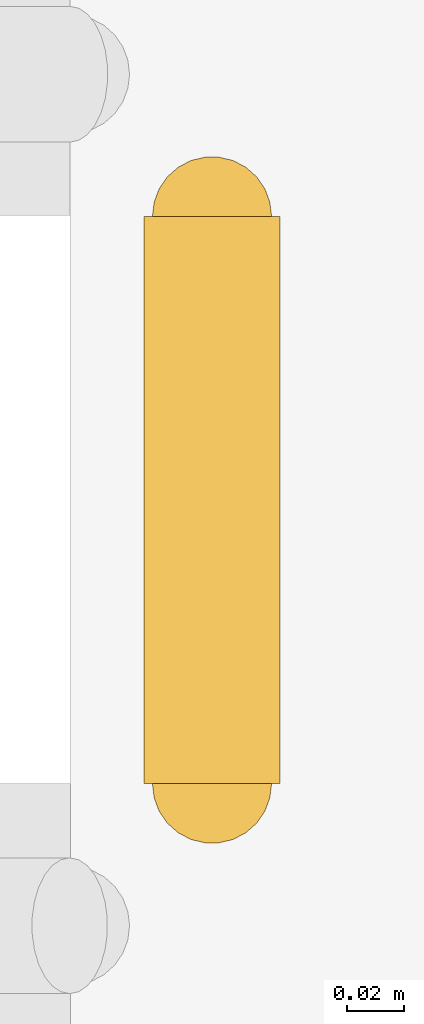
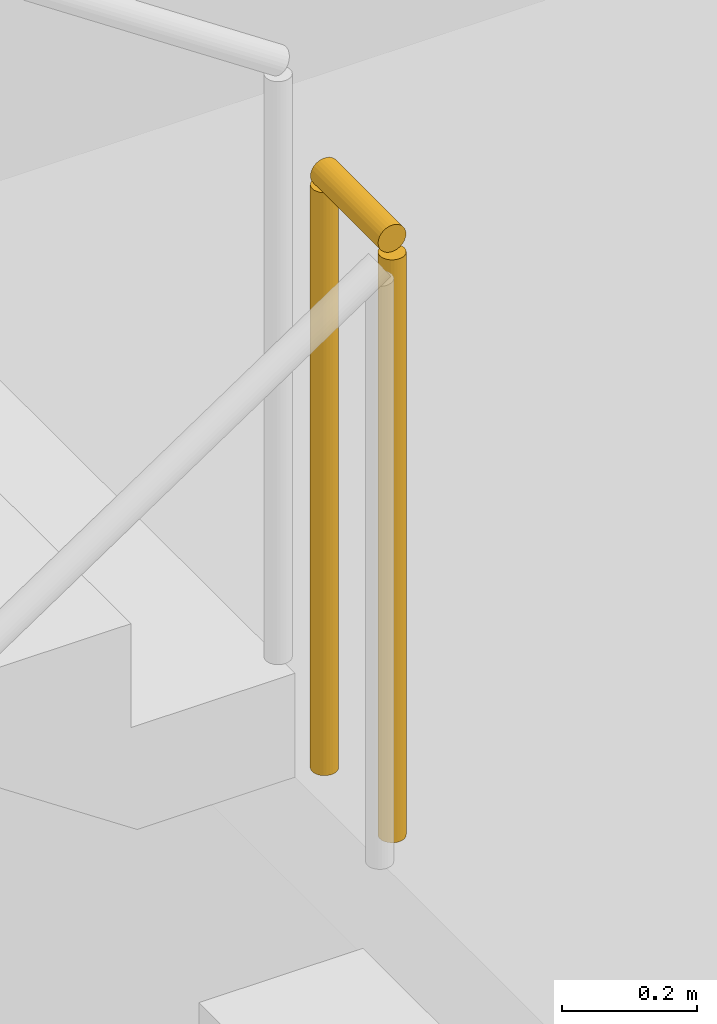
# One storey, part 121 of 123: 1 railing.
"""IFC4 building model written with IfcOpenShell, lengths in metres."""

import ifcopenshell
import ifcopenshell.guid

model = None  # the IFC model being written
_history = None  # IfcOwnerHistory: only IFC2X3 demands one
_inside = {}  # id of a spatial element -> (the spatial element, [elements in it])
_under = {}  # id of a project, library or spatial element -> (it, [spatial elements below it])
_declared = {}  # id of a project -> (the project, [libraries it declares])
_typed = {}  # id of a type object -> (the type object, [elements of that type])
_made_of = {}  # id of a material, layer set ... -> (it, [elements and type objects made of it])


def new_model(schema):
    """Start an empty IFC model of exactly this schema.

    Asked for "IFC4X3", IfcOpenShell would pick the latest addendum, in which some entities
    have other attributes; the version numbers below select the first issue.
    IFC2X3 requires an IfcOwnerHistory on every rooted entity: one is made here for all.
    """
    global model, _history
    if schema == "IFC4X3":
        model = ifcopenshell.file(schema_version=(4, 3, 0, 0))
    else:
        model = ifcopenshell.file(schema=schema)
    _inside.clear()
    _under.clear()
    _declared.clear()
    _typed.clear()
    _made_of.clear()
    _history = None
    if model.schema == "IFC2X3":
        org = make("IfcOrganization", Name="unknown")
        user = make(
            "IfcPersonAndOrganization",
            ThePerson=make("IfcPerson", FamilyName="unknown"),
            TheOrganization=org,
        )
        app = make(
            "IfcApplication",
            ApplicationDeveloper=org,
            Version="unknown",
            ApplicationFullName="unknown",
            ApplicationIdentifier="unknown",
        )
        _history = make(
            "IfcOwnerHistory",
            OwningUser=user,
            OwningApplication=app,
            ChangeAction="ADDED",
            CreationDate=0,
        )
    return model


def make(cls, **values):
    """One entity of the class cls with the attributes given. An attribute that is None is left unset."""
    return model.create_entity(
        cls, **{name: value for name, value in values.items() if value is not None}
    )


def rooted(cls, **values):
    """An entity with a GlobalId (a new one), such as an element, a storey or a relation."""
    return make(cls, GlobalId=ifcopenshell.guid.new(), OwnerHistory=_history, **values)


def si_unit(unit_type, name, prefix=None):
    """IfcSIUnit, for example si_unit("LENGTHUNIT", "METRE", prefix="MILLI")."""
    return make("IfcSIUnit", UnitType=unit_type, Prefix=prefix, Name=name)


def assignment(units):
    """IfcUnitAssignment: the units of a project."""
    return None if units is None else make("IfcUnitAssignment", Units=units)


def point(xyz):
    """IfcCartesianPoint."""
    return None if xyz is None else make("IfcCartesianPoint", Coordinates=xyz)


def direction(xyz):
    """IfcDirection."""
    return None if xyz is None else make("IfcDirection", DirectionRatios=xyz)


def frame(location, z_axis=None, x_axis=None):
    """IfcAxis2Placement3D, a coordinate frame: its origin and axes. An axis left out is left unset."""
    return make(
        "IfcAxis2Placement3D",
        Location=point(location),
        Axis=direction(z_axis),
        RefDirection=direction(x_axis),
    )


def frame_2d(location, x_axis=None):
    """IfcAxis2Placement2D, a coordinate frame in the plane: its origin and x axis."""
    return make(
        "IfcAxis2Placement2D", Location=point(location), RefDirection=direction(x_axis)
    )


def origin():
    """The frame at (0, 0, 0) with its axes left unset."""
    return frame((0.0, 0.0, 0.0))


def origin_2d():
    """The frame at (0, 0) in the plane with its x axis left unset."""
    return frame_2d((0.0, 0.0))


def place(relative_to, where):
    """IfcLocalPlacement: puts the frame where relative to a parent placement (None: the world)."""
    return make(
        "IfcLocalPlacement", PlacementRelTo=relative_to, RelativePlacement=where
    )


def context(
    kind, dimensions, precision=None, world=None, true_north=None, identifier=None
):
    """IfcGeometricRepresentationContext, for example the 3D "Model" context."""
    return make(
        "IfcGeometricRepresentationContext",
        ContextIdentifier=identifier,
        ContextType=kind,
        CoordinateSpaceDimension=dimensions,
        Precision=precision,
        WorldCoordinateSystem=world,
        TrueNorth=true_north,
    )


def subcontext(parent, identifier, kind, view, scale=None):
    """IfcGeometricRepresentationSubContext, for example "Body" below "Model"."""
    return make(
        "IfcGeometricRepresentationSubContext",
        ContextIdentifier=identifier,
        ContextType=kind,
        ParentContext=parent,
        TargetScale=scale,
        TargetView=view,
    )


def project(units=None, contexts=None):
    """IfcProject with its units and contexts."""
    return rooted(
        "IfcProject",
        Name="project",
        RepresentationContexts=contexts,
        UnitsInContext=assignment(units),
    )


def spatial(cls, under=None, at=None, **own):
    """A site, building, storey or space (cls), placed at a placement, below another one or the project."""
    s = rooted(cls, ObjectPlacement=at, **own)
    if under is not None:
        _under.setdefault(under.id(), (under, []))[1].append(s)
    return s


def profile(cls, at=None, kind="AREA", **sizes):
    """A parametric profile (cls). Its sizes go by their IFC names, for example OverallWidth=200.0."""
    return make(cls, ProfileType=kind, Position=at, **sizes)


def circle(**sizes):
    """IfcCircleProfileDef."""
    return profile("IfcCircleProfileDef", **sizes)


def extrude(swept, where, along, depth):
    """IfcExtrudedAreaSolid: the profile swept, set in the frame where, extruded along a direction by depth."""
    return make(
        "IfcExtrudedAreaSolid",
        SweptArea=swept,
        Position=where,
        ExtrudedDirection=direction(along),
        Depth=depth,
    )


def shape(context_of_items, identifier, shape_type, items):
    """IfcShapeRepresentation: the items that make up one representation, for example the "Body"."""
    return make(
        "IfcShapeRepresentation",
        ContextOfItems=context_of_items,
        RepresentationIdentifier=identifier,
        RepresentationType=shape_type,
        Items=items,
    )


def material(Name=None, Category=None):
    """IfcMaterial."""
    return make("IfcMaterial", Name=Name, Category=Category)


def made_of(thing, what):
    """Note that an element or type object is made of a material, layer set ...; save() writes the relation."""
    if what is not None:
        _made_of.setdefault(what.id(), (what, []))[1].append(thing)
    return thing


def type_object(cls, material=None, **own):
    """A type object (cls), such as IfcWallType, which elements share."""
    return made_of(rooted(cls, **own), material)


def element(
    cls,
    number,
    at=None,
    inside=None,
    cuts=None,
    type_object=None,
    material=None,
    context=None,
    identifier="Body",
    shape_type=None,
    held_by="IfcProductDefinitionShape",
    body=None,
    shapes=None,
    **own,
):
    """One element of the class cls, such as IfcWall. Its Tag is "e" and its number.

    at: its placement. inside: the storey or other place that contains it. cuts: it is an
    opening in that element (IfcRelVoidsElement). A single representation is given by context,
    identifier, shape_type and body (its items); several are given by shapes. held_by: the class
    of the entity that holds the representations. save() writes the other relations.
    """
    e = rooted(cls, Tag="e%d" % number, ObjectPlacement=at, **own)
    if body is not None:
        shapes = [shape(context, identifier, shape_type, body)]
    if shapes is not None:
        e.Representation = make(held_by, Representations=shapes)
    if inside is not None:
        _inside.setdefault(inside.id(), (inside, []))[1].append(e)
    if cuts is not None:
        rooted(
            "IfcRelVoidsElement", RelatingBuildingElement=cuts, RelatedOpeningElement=e
        )
    if type_object is not None:
        _typed.setdefault(type_object.id(), (type_object, []))[1].append(e)
    return made_of(e, material)


def aggregate(whole, parts):
    """IfcRelAggregates: a whole, such as a stair, and the parts it consists of."""
    return rooted("IfcRelAggregates", RelatingObject=whole, RelatedObjects=parts)


def save(model, path):
    """Write the relations noted so far, then the file.

    IfcRelAggregates (storeys below a building ...), IfcRelContainedInSpatialStructure (elements
    in a storey), IfcRelDefinesByType, IfcRelAssociatesMaterial and IfcRelDeclares: one each for
    every whole, place, type object, material and project.
    """
    for whole, parts in _under.values():
        aggregate(whole, parts)
    for where, things in _inside.values():
        rooted(
            "IfcRelContainedInSpatialStructure",
            RelatedElements=things,
            RelatingStructure=where,
        )
    for kind, things in _typed.values():
        rooted("IfcRelDefinesByType", RelatedObjects=things, RelatingType=kind)
    for what, things in _made_of.values():
        rooted("IfcRelAssociatesMaterial", RelatedObjects=things, RelatingMaterial=what)
    for by, libraries in _declared.values():
        rooted("IfcRelDeclares", RelatingContext=by, RelatedDefinitions=libraries)
    model.write(path)


model = new_model("IFC4")

# Units and contexts
model_context = context("Model", 3, precision=1e-05, world=origin(), true_north=direction((0.0, 1.0)))
body_context = subcontext(model_context, "Body", "Model", "MODEL_VIEW")
ifc_project = project(units=[si_unit("LENGTHUNIT", "METRE"), si_unit("AREAUNIT", "SQUARE_METRE"), si_unit("VOLUMEUNIT", "CUBIC_METRE"), si_unit("PLANEANGLEUNIT", "RADIAN"), si_unit("MASSUNIT", "GRAM", prefix="KILO")], contexts=[model_context])

# Site, building, storey
site_placement = place(None, origin())
site = spatial("IfcSite", under=ifc_project, at=site_placement, CompositionType="ELEMENT")
building_placement = place(site_placement, origin())
building = spatial("IfcBuilding", under=site, at=building_placement, Name="Kalmorath City Hall", CompositionType="ELEMENT")
storey_placement = place(building_placement, frame((0.0, 0.0, 10.199951171875)))
storey = spatial("IfcBuildingStorey", under=building, at=storey_placement, Name="L02", CompositionType="ELEMENT", Elevation=10.199951171875)

# Railing
ifc_material = material(Name="Painted steel guardrail", Category="steel")
railing_type = type_object("IfcRailingType", Name="Protected stair guardrail 1100", PredefinedType="GUARDRAIL", material=ifc_material)
railing_placement = place(storey_placement, frame((160.47998046875, 2.75, 2.25)))
element("IfcRailing", 1, at=railing_placement, inside=storey, type_object=railing_type, Name="L02 ST-7 stair guard 2", PredefinedType="GUARDRAIL", context=body_context, shape_type="SweptSolid", body=[
    extrude(circle(Radius=0.02392578125, at=origin_2d()), frame((0.0, 0.0, 1.076171875), z_axis=(0.0, 1.0, 0.0), x_axis=(-1.0, 0.0, 0.0)), (0.0, 0.0, 1.0), 0.199951171875),
    extrude(circle(Radius=0.02099609375, at=origin_2d()), origin(), (0.0, 0.0, 1.0), 1.052001953125),
    extrude(circle(Radius=0.02099609375, at=origin_2d()), frame((0.0, 0.199951171875, 0.0)), (0.0, 0.0, 1.0), 1.052001953125),
])

save(model, "model.ifc")
